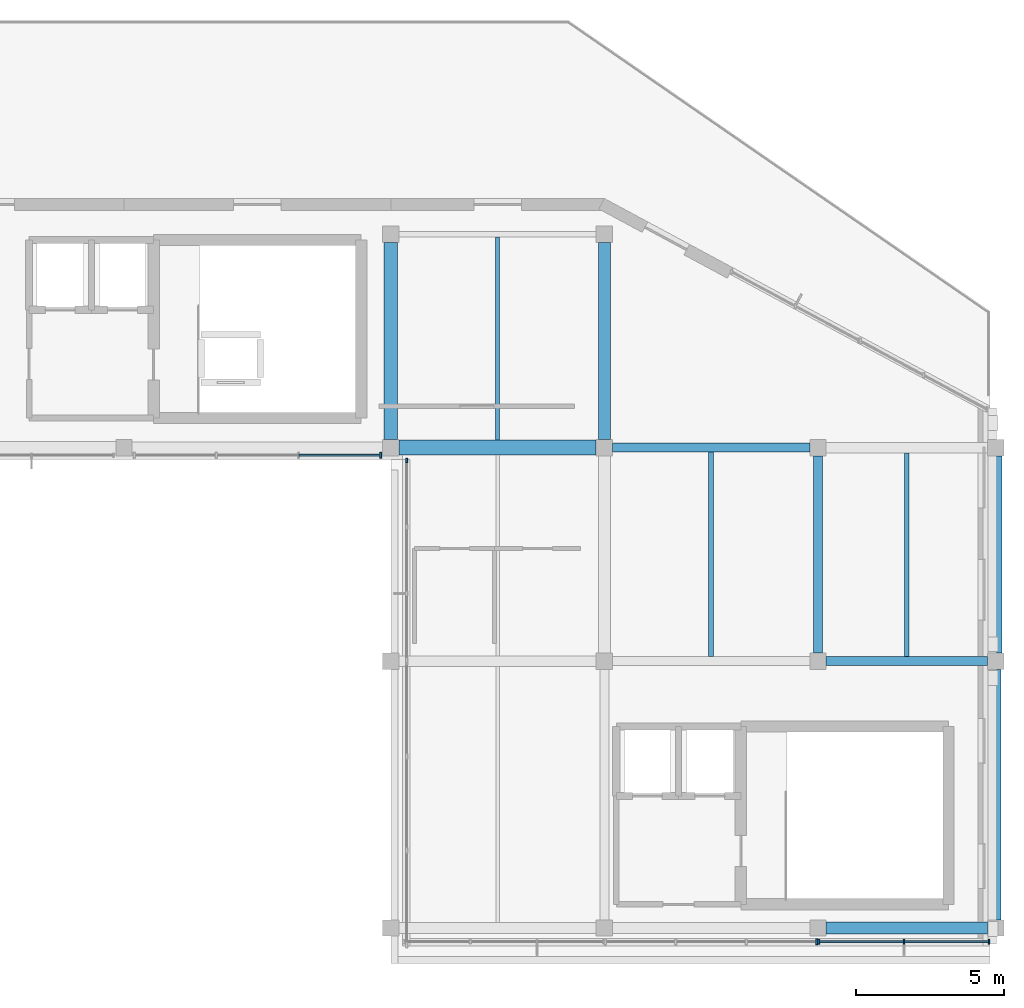
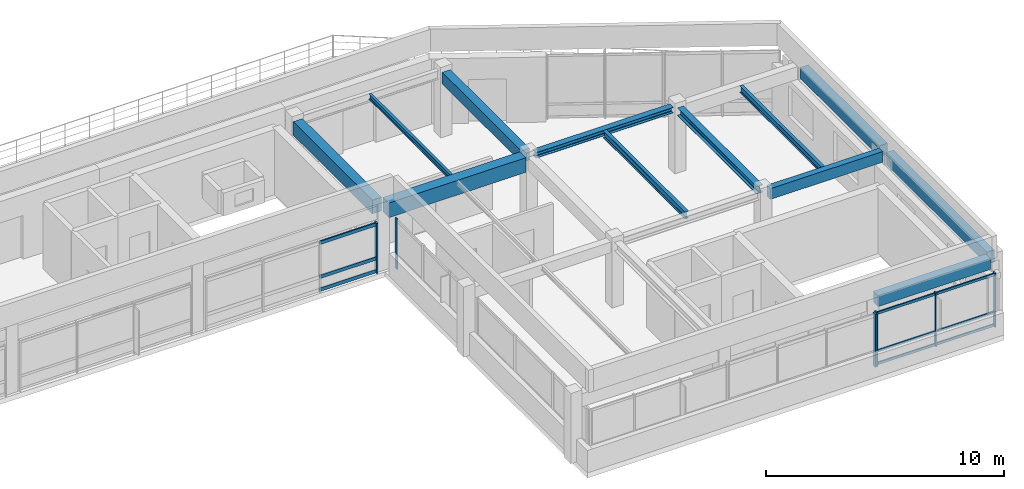
# One storey, part 4 of 10: 15 members, 12 beams, 4 elements without a shape of their own.
"""IFC4 building model written with IfcOpenShell, lengths in metres."""

from ifc_helpers import new_model, si_unit, direction, frame, origin, origin_2d, place, context, subcontext, project, spatial, rectangle, i_section, extrude, material, material_profile, profile_set, type_object, element, aggregate, save


model = new_model("IFC4")

# Units and contexts
model_context = context("Model", 3, precision=1e-05, world=origin(), true_north=direction((0.0, 1.0)))
body_context = subcontext(model_context, "Body", "Model", "MODEL_VIEW")
ifc_project = project(units=[si_unit("LENGTHUNIT", "METRE"), si_unit("AREAUNIT", "SQUARE_METRE"), si_unit("VOLUMEUNIT", "CUBIC_METRE"), si_unit("PLANEANGLEUNIT", "RADIAN"), si_unit("MASSUNIT", "GRAM", prefix="KILO")], contexts=[model_context])

# Site, building, storey
site_placement = place(None, origin())
site = spatial("IfcSite", under=ifc_project, at=site_placement, CompositionType="ELEMENT")
building_placement = place(site_placement, origin())
building = spatial("IfcBuilding", under=site, at=building_placement, Name="Clarverna Civic Hall", CompositionType="ELEMENT")
storey_placement = place(building_placement, frame((0.0, 0.0, 27.60009765625)))
storey = spatial("IfcBuildingStorey", under=building, at=storey_placement, Name="L07", CompositionType="ELEMENT", Elevation=27.60009765625)

# Beams
ifc_material_1 = material(Name="Concrete C35/45", Category="concrete")
ifc_material_profile_1 = material_profile(ifc_material_1, rectangle(XDim=0.300048828125, YDim=0.550048828125, at=origin_2d()), Name="RC 300x550")
ifc_profile_set_1 = profile_set([ifc_material_profile_1], Name="Concrete C35/45")
beam_type_1 = type_object("IfcBeamType", Name="B-RC11", PredefinedType="BEAM", material=ifc_profile_set_1)
beam_1_placement = place(storey_placement, frame((162.27490234375, 87.800048828125, 3.06494140625), z_axis=(1.0, 0.0, 0.0), x_axis=(0.0, 1.0, 0.0)))
element("IfcBeam", 1, at=beam_1_placement, inside=storey, type_object=beam_type_1, Name="B-RC11-037", PredefinedType="BEAM", context=body_context, shape_type="SweptSolid", body=[
    extrude(rectangle(XDim=0.300048828125, YDim=0.550048828125, at=origin_2d()), origin(), (0.0, 0.0, 1.0), 5.4501953125),
])
ifc_material_profile_2 = material_profile(ifc_material_1, rectangle(XDim=0.5, YDim=0.75, at=origin_2d()), Name="RC 500x750")
ifc_profile_set_2 = profile_set([ifc_material_profile_2], Name="Concrete C35/45")
beam_type_2 = type_object("IfcBeamType", Name="B-RC15", PredefinedType="BEAM", material=ifc_profile_set_2)
beam_2_placement = place(storey_placement, frame((147.875, 95.0, 2.96484375), z_axis=(1.0, 0.0, 0.0), x_axis=(0.0, 1.0, 0.0)))
element("IfcBeam", 2, at=beam_2_placement, inside=storey, type_object=beam_type_2, Name="B-RC15-053", PredefinedType="BEAM", context=body_context, shape_type="SweptSolid", body=[
    extrude(rectangle(XDim=0.5, YDim=0.75, at=origin_2d()), origin(), (0.0, 0.0, 1.0), 6.64990234375),
])
ifc_material_profile_3 = material_profile(ifc_material_1, rectangle(XDim=0.449951171875, YDim=0.699951171875, at=origin_2d()), Name="RC 450x700")
ifc_profile_set_3 = profile_set([ifc_material_profile_3], Name="Concrete C35/45")
beam_type_3 = type_object("IfcBeamType", Name="B-RC4", PredefinedType="BEAM", material=ifc_profile_set_3)
beam_3_placement = place(storey_placement, frame((147.60009765625, 95.27490234375, 2.989990234375), z_axis=(0.0, 1.0, 0.0), x_axis=(-1.0, 0.0, 0.0)))
element("IfcBeam", 3, at=beam_3_placement, inside=storey, type_object=beam_type_3, Name="B-RC4-033", PredefinedType="BEAM", context=body_context, shape_type="SweptSolid", body=[
    extrude(rectangle(XDim=0.449951171875, YDim=0.699951171875, at=origin_2d()), origin(), (0.0, 0.0, 1.0), 6.650146484375),
])
ifc_material_profile_4 = material_profile(ifc_material_1, rectangle(XDim=0.39990234375, YDim=0.60009765625, at=origin_2d()), Name="RC 400x600")
ifc_profile_set_4 = profile_set([ifc_material_profile_4], Name="Concrete C35/45")
beam_type_4 = type_object("IfcBeamType", Name="B-RC7", PredefinedType="BEAM", material=ifc_profile_set_4)
beam_4_placement = place(storey_placement, frame((154.800048828125, 95.27490234375, 3.039794921875), z_axis=(0.0, 1.0, 0.0), x_axis=(-1.0, 0.0, 0.0)))
element("IfcBeam", 4, at=beam_4_placement, inside=storey, type_object=beam_type_4, Name="B-RC7-033", PredefinedType="BEAM", context=body_context, shape_type="SweptSolid", body=[
    extrude(rectangle(XDim=0.39990234375, YDim=0.60009765625, at=origin_2d()), origin(), (0.0, 0.0, 1.0), 6.650146484375),
])
ifc_material_profile_5 = material_profile(ifc_material_1, rectangle(XDim=0.360107421875, YDim=0.6201171875, at=origin_2d()), Name="RC 360x620")
ifc_profile_set_5 = profile_set([ifc_material_profile_5], Name="Concrete C35/45")
beam_type_5 = type_object("IfcBeamType", Name="B-SP3", PredefinedType="SPANDREL", material=ifc_profile_set_5)
beam_5_placement = place(storey_placement, frame((168.0, 79.074951171875, 3.02978515625), z_axis=(0.0, 1.0, 0.0), x_axis=(-1.0, 0.0, 0.0)))
element("IfcBeam", 5, at=beam_5_placement, inside=storey, type_object=beam_type_5, Name="B-SP3-158", PredefinedType="SPANDREL", context=body_context, shape_type="SweptSolid", body=[
    extrude(rectangle(XDim=0.360107421875, YDim=0.6201171875, at=origin_2d()), origin(), (0.0, 0.0, 1.0), 8.449951171875),
])
ifc_material_profile_6 = material_profile(ifc_material_1, rectangle(XDim=0.39990234375, YDim=0.56005859375, at=origin_2d()), Name="RC 400x560")
ifc_profile_set_6 = profile_set([ifc_material_profile_6], Name="Concrete C35/45")
beam_type_6 = type_object("IfcBeamType", Name="B-SP4", PredefinedType="SPANDREL", material=ifc_profile_set_6)
beam_6_placement = place(storey_placement, frame((162.27490234375, 78.800048828125, 3.059814453125), z_axis=(1.0, 0.0, 0.0), x_axis=(0.0, 1.0, 0.0)))
element("IfcBeam", 6, at=beam_6_placement, inside=storey, type_object=beam_type_6, Name="B-SP4-158", PredefinedType="SPANDREL", context=body_context, shape_type="SweptSolid", body=[
    extrude(rectangle(XDim=0.39990234375, YDim=0.56005859375, at=origin_2d()), origin(), (0.0, 0.0, 1.0), 5.4501953125),
])
beam_7_placement = place(storey_placement, frame((168.0, 88.074951171875, 3.059814453125), z_axis=(0.0, 1.0, 0.0), x_axis=(-1.0, 0.0, 0.0)))
element("IfcBeam", 7, at=beam_7_placement, inside=storey, type_object=beam_type_6, Name="B-SP4-161", PredefinedType="SPANDREL", context=body_context, shape_type="SweptSolid", body=[
    extrude(rectangle(XDim=0.39990234375, YDim=0.56005859375, at=origin_2d()), origin(), (0.0, 0.0, 1.0), 6.650146484375),
])
ifc_material_2 = material(Name="Steel S355", Category="steel")
ifc_material_profile_7 = material_profile(ifc_material_2, i_section(OverallWidth=0.300048828125, OverallDepth=0.2900390625, WebThickness=0.008544921875, FlangeThickness=0.013916015625, FilletRadius=0.027099609375, at=origin_2d()), Name="HEA 300")
ifc_profile_set_7 = profile_set([ifc_material_profile_7], Name="Steel S355")
beam_type_7 = type_object("IfcBeamType", Name="B-ST10", PredefinedType="BEAM", material=ifc_profile_set_7)
beam_8_placement = place(storey_placement, frame((155.074951171875, 95.0, 3.19482421875), z_axis=(1.0, 0.0, 0.0), x_axis=(0.0, 1.0, 0.0)))
element("IfcBeam", 8, at=beam_8_placement, inside=storey, type_object=beam_type_7, Name="B-ST10-018", PredefinedType="BEAM", context=body_context, shape_type="SweptSolid", body=[
    extrude(i_section(OverallWidth=0.300048828125, OverallDepth=0.2900390625, WebThickness=0.008544921875, FlangeThickness=0.013916015625, FilletRadius=0.027099609375, at=origin_2d()), origin(), (0.0, 0.0, 1.0), 6.650146484375),
])
ifc_material_profile_8 = material_profile(ifc_material_2, i_section(OverallWidth=0.300048828125, OverallDepth=0.389892578125, WebThickness=0.010986328125, FlangeThickness=0.01904296875, FilletRadius=0.027099609375, at=origin_2d()), Name="HEA 400")
ifc_profile_set_8 = profile_set([ifc_material_profile_8], Name="Steel S355")
beam_type_8 = type_object("IfcBeamType", Name="B-ST6", PredefinedType="BEAM", material=ifc_profile_set_8)
beam_9_placement = place(storey_placement, frame((162.0, 88.074951171875, 3.14501953125), z_axis=(0.0, 1.0, 0.0), x_axis=(-1.0, 0.0, 0.0)))
element("IfcBeam", 9, at=beam_9_placement, inside=storey, type_object=beam_type_8, Name="B-ST6-022", PredefinedType="BEAM", context=body_context, shape_type="SweptSolid", body=[
    extrude(i_section(OverallWidth=0.300048828125, OverallDepth=0.389892578125, WebThickness=0.010986328125, FlangeThickness=0.01904296875, FilletRadius=0.027099609375, at=origin_2d()), origin(), (0.0, 0.0, 1.0), 6.650146484375),
])

# Curtain wall, members
ifc_material_3 = material(Name="Anodised Bronze Architectural Aluminium", Category="aluminium")
curtain_wall_type = type_object("IfcCurtainWallType", Name="CW-01", PredefinedType="USERDEFINED", material=ifc_material_3)
curtain_wall_1_placement = place(storey_placement, origin())
curtain_wall_1 = element("IfcCurtainWall", 10, at=curtain_wall_1_placement, inside=storey, type_object=curtain_wall_type, Name="CW-01-128", ObjectType="UNITISED CURTAIN WALL", PredefinedType="USERDEFINED")
ifc_material_profile_9 = material_profile(ifc_material_3, rectangle(XDim=0.06005859375, YDim=0.159912109375, at=origin_2d()), Name="BRONZE 60x160")
ifc_profile_set_9 = profile_set([ifc_material_profile_9], Name="Anodised Bronze Architectural Aluminium")
member_type_1 = type_object("IfcMemberType", Name="CWM-02", PredefinedType="MULLION", material=ifc_profile_set_9)
member_1_placement = place(storey_placement, frame((167.76708984375, 78.340087890625, 0.0), z_axis=(0.0, 0.0, 1.0), x_axis=(1.0, 0.0, 0.0)))
member_1 = element("IfcMember", 11, at=member_1_placement, type_object=member_type_1, Name="CWM-02-241", PredefinedType="MULLION", context=body_context, shape_type="SweptSolid", body=[
    extrude(rectangle(XDim=0.06005859375, YDim=0.159912109375, at=origin_2d()), origin(), (0.0, 0.0, 1.0), 2.77978515625),
])
member_2_placement = place(storey_placement, frame((164.89990234375, 78.340087890625, 0.0), z_axis=(0.0, 0.0, 1.0), x_axis=(1.0, 0.0, 0.0)))
member_2 = element("IfcMember", 12, at=member_2_placement, type_object=member_type_1, Name="CWM-02-242", PredefinedType="MULLION", context=body_context, shape_type="SweptSolid", body=[
    extrude(rectangle(XDim=0.06005859375, YDim=0.159912109375, at=origin_2d()), origin(), (0.0, 0.0, 1.0), 2.77978515625),
])
member_3_placement = place(storey_placement, frame((162.032958984375, 78.340087890625, 0.0), z_axis=(0.0, 0.0, 1.0), x_axis=(1.0, 0.0, 0.0)))
member_3 = element("IfcMember", 13, at=member_3_placement, type_object=member_type_1, Name="CWM-02-243", PredefinedType="MULLION", context=body_context, shape_type="SweptSolid", body=[
    extrude(rectangle(XDim=0.06005859375, YDim=0.159912109375, at=origin_2d()), origin(), (0.0, 0.0, 1.0), 2.77978515625),
])

# Curtain wall, member
curtain_wall_2_placement = place(storey_placement, origin())
curtain_wall_2 = element("IfcCurtainWall", 14, at=curtain_wall_2_placement, inside=storey, type_object=curtain_wall_type, Name="CW-01-132", ObjectType="UNITISED CURTAIN WALL", PredefinedType="USERDEFINED")
member_4_placement = place(storey_placement, frame((148.139892578125, 94.56689453125, 0.0), z_axis=(0.0, 0.0, 1.0), x_axis=(1.0, 0.0, 0.0)))
member_4 = element("IfcMember", 15, at=member_4_placement, type_object=member_type_1, Name="CWM-02-247", PredefinedType="MULLION", context=body_context, shape_type="SweptSolid", body=[
    extrude(rectangle(XDim=0.06005859375, YDim=0.159912109375, at=origin_2d()), origin(), (0.0, 0.0, 1.0), 2.58984375),
])
aggregate(curtain_wall_2, [member_4])

curtain_wall_3_placement = place(storey_placement, origin())
curtain_wall_3 = element("IfcCurtainWall", 16, at=curtain_wall_3_placement, inside=storey, type_object=curtain_wall_type, Name="CW-01-129", ObjectType="UNITISED CURTAIN WALL", PredefinedType="USERDEFINED")
ifc_material_profile_10 = material_profile(ifc_material_3, rectangle(XDim=0.06494140625, YDim=0.199951171875, at=origin_2d()), Name="BRONZE 65x200")
ifc_profile_set_10 = profile_set([ifc_material_profile_10], Name="Anodised Bronze Architectural Aluminium")
member_type_2 = type_object("IfcMemberType", Name="CWM-03", PredefinedType="MULLION", material=ifc_profile_set_10)
member_5_placement = place(storey_placement, frame((161.967041015625, 78.340087890625, 0.0), z_axis=(0.0, 0.0, 1.0), x_axis=(1.0, 0.0, 0.0)))
member_5 = element("IfcMember", 17, at=member_5_placement, type_object=member_type_2, Name="CWM-03-229", PredefinedType="MULLION", context=body_context, shape_type="SweptSolid", body=[
    extrude(rectangle(XDim=0.06494140625, YDim=0.199951171875, at=origin_2d()), origin(), (0.0, 0.0, 1.0), 2.719970703125),
])
aggregate(curtain_wall_3, [member_5])

curtain_wall_4_placement = place(storey_placement, origin())
curtain_wall_4 = element("IfcCurtainWall", 18, at=curtain_wall_4_placement, inside=storey, type_object=curtain_wall_type, Name="CW-01-133", ObjectType="UNITISED CURTAIN WALL", PredefinedType="USERDEFINED")
member_6_placement = place(storey_placement, frame((147.251953125, 94.739990234375, 0.0), z_axis=(0.0, 0.0, 1.0), x_axis=(1.0, 0.0, 0.0)))
member_6 = element("IfcMember", 19, at=member_6_placement, type_object=member_type_2, Name="CWM-03-233", PredefinedType="MULLION", context=body_context, shape_type="SweptSolid", body=[
    extrude(rectangle(XDim=0.06494140625, YDim=0.199951171875, at=origin_2d()), origin(), (0.0, 0.0, 1.0), 2.58984375),
])

# Member
ifc_material_profile_11 = material_profile(ifc_material_3, rectangle(XDim=0.06005859375, YDim=0.1298828125, at=origin_2d()), Name="BRONZE 60x130")
ifc_profile_set_11 = profile_set([ifc_material_profile_11], Name="Anodised Bronze Architectural Aluminium")
member_type_3 = type_object("IfcMemberType", Name="CWT-02", PredefinedType="USERDEFINED", material=ifc_profile_set_11)
member_7_placement = place(storey_placement, frame((167.751953125, 78.340087890625, 0.094970703125), z_axis=(-1.0, 0.0, 0.0), x_axis=(0.0, -1.0, 0.0)))
member_7 = element("IfcMember", 20, at=member_7_placement, type_object=member_type_3, Name="CWT-02-514", ObjectType="TRANSOM", PredefinedType="USERDEFINED", context=body_context, shape_type="SweptSolid", body=[
    extrude(rectangle(XDim=0.06005859375, YDim=0.1298828125, at=origin_2d()), origin(), (0.0, 0.0, 1.0), 2.8369140625),
])

member_8_placement = place(storey_placement, frame((167.751953125, 78.340087890625, 0.75), z_axis=(-1.0, 0.0, 0.0), x_axis=(0.0, -1.0, 0.0)))
member_8 = element("IfcMember", 21, at=member_8_placement, type_object=member_type_3, Name="CWT-02-515", ObjectType="TRANSOM", PredefinedType="USERDEFINED", context=body_context, shape_type="SweptSolid", body=[
    extrude(rectangle(XDim=0.06005859375, YDim=0.1298828125, at=origin_2d()), origin(), (0.0, 0.0, 1.0), 2.8369140625),
])

member_9_placement = place(storey_placement, frame((167.751953125, 78.340087890625, 2.684814453125), z_axis=(-1.0, 0.0, 0.0), x_axis=(0.0, -1.0, 0.0)))
member_9 = element("IfcMember", 22, at=member_9_placement, type_object=member_type_3, Name="CWT-02-516", ObjectType="TRANSOM", PredefinedType="USERDEFINED", context=body_context, shape_type="SweptSolid", body=[
    extrude(rectangle(XDim=0.06005859375, YDim=0.1298828125, at=origin_2d()), origin(), (0.0, 0.0, 1.0), 2.8369140625),
])

member_10_placement = place(storey_placement, frame((164.885009765625, 78.340087890625, 0.094970703125), z_axis=(-1.0, 0.0, 0.0), x_axis=(0.0, -1.0, 0.0)))
member_10 = element("IfcMember", 23, at=member_10_placement, type_object=member_type_3, Name="CWT-02-517", ObjectType="TRANSOM", PredefinedType="USERDEFINED", context=body_context, shape_type="SweptSolid", body=[
    extrude(rectangle(XDim=0.06005859375, YDim=0.1298828125, at=origin_2d()), origin(), (0.0, 0.0, 1.0), 2.8369140625),
])

member_11_placement = place(storey_placement, frame((164.885009765625, 78.340087890625, 0.75), z_axis=(-1.0, 0.0, 0.0), x_axis=(0.0, -1.0, 0.0)))
member_11 = element("IfcMember", 24, at=member_11_placement, type_object=member_type_3, Name="CWT-02-518", ObjectType="TRANSOM", PredefinedType="USERDEFINED", context=body_context, shape_type="SweptSolid", body=[
    extrude(rectangle(XDim=0.06005859375, YDim=0.1298828125, at=origin_2d()), origin(), (0.0, 0.0, 1.0), 2.8369140625),
])

member_12_placement = place(storey_placement, frame((164.885009765625, 78.340087890625, 2.684814453125), z_axis=(-1.0, 0.0, 0.0), x_axis=(0.0, -1.0, 0.0)))
member_12 = element("IfcMember", 25, at=member_12_placement, type_object=member_type_3, Name="CWT-02-519", ObjectType="TRANSOM", PredefinedType="USERDEFINED", context=body_context, shape_type="SweptSolid", body=[
    extrude(rectangle(XDim=0.06005859375, YDim=0.1298828125, at=origin_2d()), origin(), (0.0, 0.0, 1.0), 2.8369140625),
])

aggregate(curtain_wall_1, [member_1, member_2, member_3, member_7, member_8, member_9, member_10, member_11, member_12])

ifc_material_profile_12 = material_profile(ifc_material_3, rectangle(XDim=0.06494140625, YDim=0.169921875, at=origin_2d()), Name="BRONZE 65x170")
ifc_profile_set_12 = profile_set([ifc_material_profile_12], Name="Anodised Bronze Architectural Aluminium")
member_type_4 = type_object("IfcMemberType", Name="CWT-03", PredefinedType="USERDEFINED", material=ifc_profile_set_12)
member_13_placement = place(storey_placement, frame((147.237060546875, 94.739990234375, 0.094970703125), z_axis=(-1.0, 0.0, 0.0), x_axis=(0.0, -1.0, 0.0)))
member_13 = element("IfcMember", 26, at=member_13_placement, type_object=member_type_4, Name="CWT-03-496", ObjectType="TRANSOM", PredefinedType="USERDEFINED", context=body_context, shape_type="SweptSolid", body=[
    extrude(rectangle(XDim=0.06494140625, YDim=0.169921875, at=origin_2d()), origin(), (0.0, 0.0, 1.0), 2.738037109375),
])

member_14_placement = place(storey_placement, frame((147.237060546875, 94.739990234375, 0.75), z_axis=(-1.0, 0.0, 0.0), x_axis=(0.0, -1.0, 0.0)))
member_14 = element("IfcMember", 27, at=member_14_placement, type_object=member_type_4, Name="CWT-03-497", ObjectType="TRANSOM", PredefinedType="USERDEFINED", context=body_context, shape_type="SweptSolid", body=[
    extrude(rectangle(XDim=0.06494140625, YDim=0.169921875, at=origin_2d()), origin(), (0.0, 0.0, 1.0), 2.738037109375),
])

member_15_placement = place(storey_placement, frame((147.237060546875, 94.739990234375, 2.494873046875), z_axis=(-1.0, 0.0, 0.0), x_axis=(0.0, -1.0, 0.0)))
member_15 = element("IfcMember", 28, at=member_15_placement, type_object=member_type_4, Name="CWT-03-498", ObjectType="TRANSOM", PredefinedType="USERDEFINED", context=body_context, shape_type="SweptSolid", body=[
    extrude(rectangle(XDim=0.06494140625, YDim=0.169921875, at=origin_2d()), origin(), (0.0, 0.0, 1.0), 2.738037109375),
])

aggregate(curtain_wall_4, [member_6, member_13, member_14, member_15])

# Beams
ifc_material_profile_13 = material_profile(ifc_material_2, i_section(OverallWidth=0.169921875, OverallDepth=0.360107421875, WebThickness=0.008056640625, FlangeThickness=0.0126953125, FilletRadius=0.01806640625, at=origin_2d()), Name="IPE 360")
ifc_profile_set_13 = profile_set([ifc_material_profile_13], Name="Steel S355")
beam_type_9 = type_object("IfcBeamType", Name="J-ST1", PredefinedType="JOIST", material=ifc_profile_set_13)
beam_10_placement = place(storey_placement, frame((158.39990234375, 87.949951171875, 3.159912109375), z_axis=(0.0, 1.0, 0.0), x_axis=(-1.0, 0.0, 0.0)))
element("IfcBeam", 29, at=beam_10_placement, inside=storey, type_object=beam_type_9, Name="J-ST1-073", PredefinedType="JOIST", context=body_context, shape_type="SweptSolid", body=[
    extrude(i_section(OverallWidth=0.169921875, OverallDepth=0.360107421875, WebThickness=0.008056640625, FlangeThickness=0.0126953125, FilletRadius=0.01806640625, at=origin_2d()), origin(), (0.0, 0.0, 1.0), 6.900146484375),
])
ifc_material_profile_14 = material_profile(ifc_material_2, i_section(OverallWidth=0.159912109375, OverallDepth=0.330078125, WebThickness=0.007568359375, FlangeThickness=0.011474609375, FilletRadius=0.01806640625, at=origin_2d()), Name="IPE 330")
ifc_profile_set_14 = profile_set([ifc_material_profile_14], Name="Steel S355")
beam_type_10 = type_object("IfcBeamType", Name="J-ST2", PredefinedType="JOIST", material=ifc_profile_set_14)
beam_11_placement = place(storey_placement, frame((165.0, 87.949951171875, 3.1748046875), z_axis=(0.0, 1.0, 0.0), x_axis=(-1.0, 0.0, 0.0)))
element("IfcBeam", 30, at=beam_11_placement, inside=storey, type_object=beam_type_10, Name="J-ST2-074", PredefinedType="JOIST", context=body_context, shape_type="SweptSolid", body=[
    extrude(i_section(OverallWidth=0.159912109375, OverallDepth=0.330078125, WebThickness=0.007568359375, FlangeThickness=0.011474609375, FilletRadius=0.01806640625, at=origin_2d()), origin(), (0.0, 0.0, 1.0), 6.875),
])
ifc_material_profile_15 = material_profile(ifc_material_2, i_section(OverallWidth=0.135009765625, OverallDepth=0.27001953125, WebThickness=0.006591796875, FlangeThickness=0.01025390625, FilletRadius=0.014892578125, at=origin_2d()), Name="IPE 270")
ifc_profile_set_15 = profile_set([ifc_material_profile_15], Name="Steel S355")
beam_type_11 = type_object("IfcBeamType", Name="J-ST4", PredefinedType="JOIST", material=ifc_profile_set_15)
beam_12_placement = place(storey_placement, frame((151.199951171875, 95.25, 3.204833984375), z_axis=(0.0, 1.0, 0.0), x_axis=(-1.0, 0.0, 0.0)))
element("IfcBeam", 31, at=beam_12_placement, inside=storey, type_object=beam_type_11, Name="J-ST4-077", PredefinedType="JOIST", context=body_context, shape_type="SweptSolid", body=[
    extrude(i_section(OverallWidth=0.135009765625, OverallDepth=0.27001953125, WebThickness=0.006591796875, FlangeThickness=0.01025390625, FilletRadius=0.014892578125, at=origin_2d()), origin(), (0.0, 0.0, 1.0), 6.85498046875),
])

save(model, "model.ifc")
